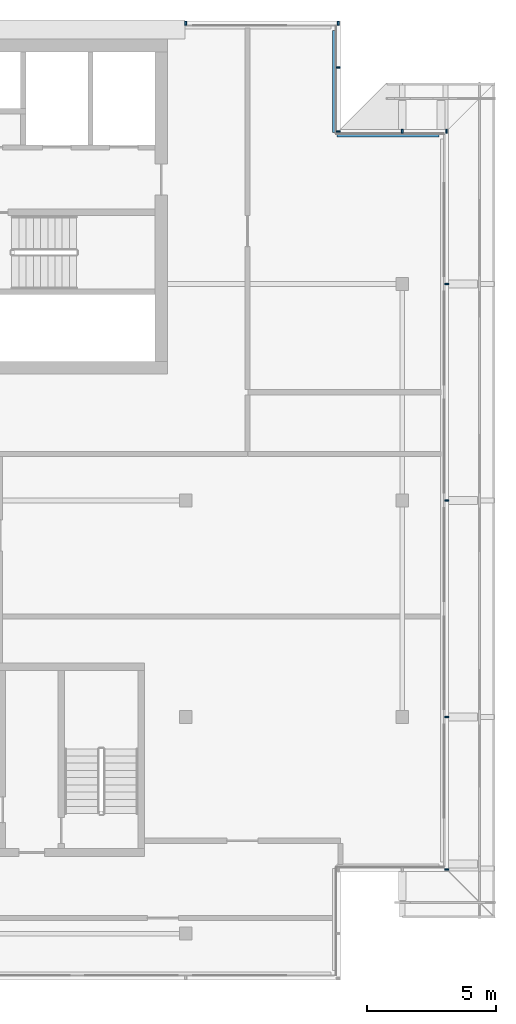
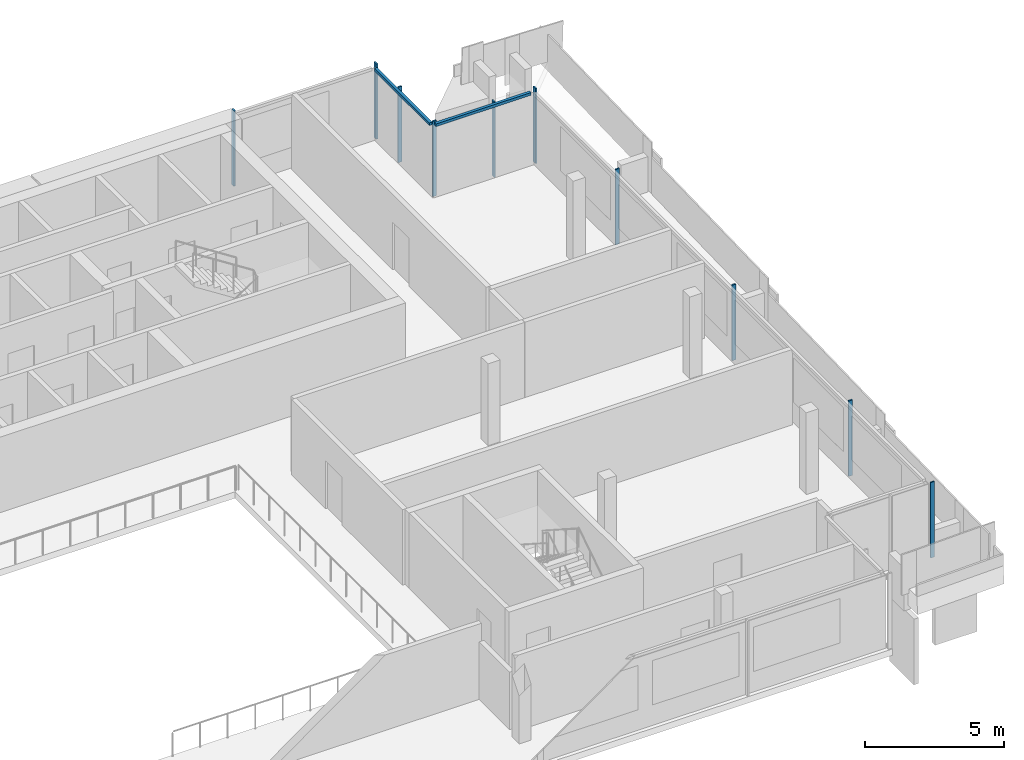
# One storey, part 8 of 20: 12 members, 4 elements without a shape of their own.
"""IFC4 building model written with IfcOpenShell, lengths in metres."""

from ifc_helpers import new_model, si_unit, direction, frame, origin, origin_2d, place, context, subcontext, project, spatial, rectangle, extrude, material, material_profile, profile_set, type_object, element, aggregate, save


model = new_model("IFC4")

# Units and contexts
model_context = context("Model", 3, precision=1e-05, world=origin(), true_north=direction((0.0, 1.0)))
body_context = subcontext(model_context, "Body", "Model", "MODEL_VIEW")
ifc_project = project(units=[si_unit("LENGTHUNIT", "METRE"), si_unit("AREAUNIT", "SQUARE_METRE"), si_unit("VOLUMEUNIT", "CUBIC_METRE"), si_unit("PLANEANGLEUNIT", "RADIAN"), si_unit("MASSUNIT", "GRAM", prefix="KILO")], contexts=[model_context])

# Site, building, storey
site_placement = place(None, origin())
site = spatial("IfcSite", under=ifc_project, at=site_placement, CompositionType="ELEMENT")
building_placement = place(site_placement, origin())
building = spatial("IfcBuilding", under=site, at=building_placement, Name="Saffron Gate Tower", CompositionType="ELEMENT")
storey_placement = place(building_placement, frame((0.0, 0.0, 303.14990234375)))
storey = spatial("IfcBuildingStorey", under=building, at=storey_placement, Name="L74", CompositionType="ELEMENT", Elevation=303.14990234375)

# Curtain wall, members
ifc_material = material(Name="Aluminium, bronze anodised", Category="aluminium")
curtain_wall_type_1 = type_object("IfcCurtainWallType", Name="CWS2 curtain wall side facades", PredefinedType="NOTDEFINED", material=ifc_material)
curtain_wall_1_placement = place(storey_placement, origin())
curtain_wall_1 = element("IfcCurtainWall", 1, at=curtain_wall_1_placement, inside=storey, type_object=curtain_wall_type_1, Name="CWS2 run 4", PredefinedType="NOTDEFINED")
ifc_material_profile_1 = material_profile(ifc_material, rectangle(XDim=0.159912109375, YDim=0.06005859375, at=origin_2d()))
ifc_profile_set_1 = profile_set([ifc_material_profile_1], Name="Aluminium, bronze anodised")
member_type_1 = type_object("IfcMemberType", Name="CWS2 mullion 60x160", PredefinedType="MULLION", material=ifc_profile_set_1)
member_1_placement = place(storey_placement, frame((118.719970703125, 42.679931640625, 0.0), z_axis=(0.0, 0.0, 1.0), x_axis=(-1.0, 0.0, 0.0)))
member_1 = element("IfcMember", 2, at=member_1_placement, type_object=member_type_1, Name="CWS2 mullion 1", PredefinedType="MULLION", context=body_context, shape_type="SweptSolid", body=[
    extrude(rectangle(XDim=0.159912109375, YDim=0.06005859375, at=origin_2d()), origin(), (0.0, 0.0, 1.0), 3.320068359375),
])
member_2_placement = place(storey_placement, frame((118.719970703125, 48.60009765625, 0.0), z_axis=(0.0, 0.0, 1.0), x_axis=(-1.0, 0.0, 0.0)))
member_2 = element("IfcMember", 3, at=member_2_placement, type_object=member_type_1, Name="CWS2 mullion 2", PredefinedType="MULLION", context=body_context, shape_type="SweptSolid", body=[
    extrude(rectangle(XDim=0.159912109375, YDim=0.06005859375, at=origin_2d()), origin(), (0.0, 0.0, 1.0), 3.320068359375),
])
member_3_placement = place(storey_placement, frame((118.719970703125, 57.0, 0.0), z_axis=(0.0, 0.0, 1.0), x_axis=(-1.0, 0.0, 0.0)))
member_3 = element("IfcMember", 4, at=member_3_placement, type_object=member_type_1, Name="CWS2 mullion 3", PredefinedType="MULLION", context=body_context, shape_type="SweptSolid", body=[
    extrude(rectangle(XDim=0.159912109375, YDim=0.06005859375, at=origin_2d()), origin(), (0.0, 0.0, 1.0), 3.320068359375),
])
member_4_placement = place(storey_placement, frame((118.719970703125, 65.39990234375, 0.0), z_axis=(0.0, 0.0, 1.0), x_axis=(-1.0, 0.0, 0.0)))
member_4 = element("IfcMember", 5, at=member_4_placement, type_object=member_type_1, Name="CWS2 mullion 4", PredefinedType="MULLION", context=body_context, shape_type="SweptSolid", body=[
    extrude(rectangle(XDim=0.159912109375, YDim=0.06005859375, at=origin_2d()), origin(), (0.0, 0.0, 1.0), 3.320068359375),
])
aggregate(curtain_wall_1, [member_1, member_2, member_3, member_4])

curtain_wall_type_2 = type_object("IfcCurtainWallType", Name="CWS3 curtain wall rear facade", PredefinedType="NOTDEFINED", material=ifc_material)
curtain_wall_2_placement = place(storey_placement, origin())
curtain_wall_2 = element("IfcCurtainWall", 6, at=curtain_wall_2_placement, inside=storey, type_object=curtain_wall_type_2, Name="CWS3 run 7", PredefinedType="NOTDEFINED")
ifc_material_profile_2 = material_profile(ifc_material, rectangle(XDim=0.159912109375, YDim=0.070068359375, at=origin_2d()))
ifc_profile_set_2 = profile_set([ifc_material_profile_2], Name="Aluminium, bronze anodised")
member_type_2 = type_object("IfcMemberType", Name="CWS3 mullion 70x160", PredefinedType="MULLION", material=ifc_profile_set_2)
member_5_placement = place(storey_placement, frame((114.52001953125, 75.52001953125, 0.0), z_axis=(0.0, 0.0, 1.0), x_axis=(0.0, -1.0, 0.0)))
member_5 = element("IfcMember", 7, at=member_5_placement, type_object=member_type_2, Name="CWS3 mullion 1", PredefinedType="MULLION", context=body_context, shape_type="SweptSolid", body=[
    extrude(rectangle(XDim=0.159912109375, YDim=0.070068359375, at=origin_2d()), origin(), (0.0, 0.0, 1.0), 3.320068359375),
])
member_6_placement = place(storey_placement, frame((108.60009765625, 75.52001953125, 0.0), z_axis=(0.0, 0.0, 1.0), x_axis=(0.0, -1.0, 0.0)))
member_6 = element("IfcMember", 8, at=member_6_placement, type_object=member_type_2, Name="CWS3 mullion 2", PredefinedType="MULLION", context=body_context, shape_type="SweptSolid", body=[
    extrude(rectangle(XDim=0.159912109375, YDim=0.070068359375, at=origin_2d()), origin(), (0.0, 0.0, 1.0), 3.320068359375),
])
aggregate(curtain_wall_2, [member_5, member_6])

# Curtain wall, member
curtain_wall_type_3 = type_object("IfcCurtainWallType", Name="CWS4 curtain wall corner returns", PredefinedType="NOTDEFINED", material=ifc_material)
curtain_wall_3_placement = place(storey_placement, origin())
curtain_wall_3 = element("IfcCurtainWall", 9, at=curtain_wall_3_placement, inside=storey, type_object=curtain_wall_type_3, Name="CWS4 run 5", PredefinedType="NOTDEFINED")
ifc_material_profile_3 = material_profile(ifc_material, rectangle(XDim=0.1201171875, YDim=0.1201171875, at=origin_2d()))
ifc_profile_set_3 = profile_set([ifc_material_profile_3], Name="Aluminium, bronze anodised")
member_type_3 = type_object("IfcMemberType", Name="CWS4 head transom", PredefinedType="USERDEFINED", material=ifc_profile_set_3)
member_7_placement = place(storey_placement, frame((118.431884765625, 71.152099609375, 3.260009765625), z_axis=(-1.0, 0.0, 0.0), x_axis=(0.0, -1.0, 0.0)))
member_7 = element("IfcMember", 10, at=member_7_placement, type_object=member_type_3, Name="CWS4 head transom", ObjectType="TRANSOM", PredefinedType="USERDEFINED", context=body_context, shape_type="SweptSolid", body=[
    extrude(rectangle(XDim=0.1201171875, YDim=0.1201171875, at=origin_2d()), origin(), (0.0, 0.0, 1.0), 3.9599609375),
])

curtain_wall_4_placement = place(storey_placement, origin())
curtain_wall_4 = element("IfcCurtainWall", 11, at=curtain_wall_4_placement, inside=storey, type_object=curtain_wall_type_3, Name="CWS4 run 6", PredefinedType="NOTDEFINED")
member_8_placement = place(storey_placement, frame((114.35205078125, 71.27197265625, 3.260009765625), z_axis=(0.0, 1.0, 0.0), x_axis=(-1.0, 0.0, 0.0)))
member_8 = element("IfcMember", 12, at=member_8_placement, type_object=member_type_3, Name="CWS4 head transom", ObjectType="TRANSOM", PredefinedType="USERDEFINED", context=body_context, shape_type="SweptSolid", body=[
    extrude(rectangle(XDim=0.1201171875, YDim=0.1201171875, at=origin_2d()), origin(), (0.0, 0.0, 1.0), 3.9599609375),
])

# Member
ifc_material_profile_4 = material_profile(ifc_material, rectangle(XDim=0.159912109375, YDim=0.06005859375, at=origin_2d()))
ifc_profile_set_4 = profile_set([ifc_material_profile_4], Name="Aluminium, bronze anodised")
member_type_4 = type_object("IfcMemberType", Name="CWS4 mullion 60x160", PredefinedType="MULLION", material=ifc_profile_set_4)
member_9_placement = place(storey_placement, frame((118.719970703125, 71.320068359375, 0.0), z_axis=(0.0, 0.0, 1.0), x_axis=(0.0, -1.0, 0.0)))
member_9 = element("IfcMember", 13, at=member_9_placement, type_object=member_type_4, Name="CWS4 mullion 1", PredefinedType="MULLION", context=body_context, shape_type="SweptSolid", body=[
    extrude(rectangle(XDim=0.159912109375, YDim=0.06005859375, at=origin_2d()), origin(), (0.0, 0.0, 1.0), 3.320068359375),
])

member_10_placement = place(storey_placement, frame((117.0, 71.320068359375, 0.0), z_axis=(0.0, 0.0, 1.0), x_axis=(0.0, -1.0, 0.0)))
member_10 = element("IfcMember", 14, at=member_10_placement, type_object=member_type_4, Name="CWS4 mullion 2", PredefinedType="MULLION", context=body_context, shape_type="SweptSolid", body=[
    extrude(rectangle(XDim=0.159912109375, YDim=0.06005859375, at=origin_2d()), origin(), (0.0, 0.0, 1.0), 3.320068359375),
])

aggregate(curtain_wall_3, [member_9, member_10, member_7])

member_11_placement = place(storey_placement, frame((114.52001953125, 71.320068359375, 0.0), z_axis=(0.0, 0.0, 1.0), x_axis=(-1.0, 0.0, 0.0)))
member_11 = element("IfcMember", 15, at=member_11_placement, type_object=member_type_4, Name="CWS4 mullion 1", PredefinedType="MULLION", context=body_context, shape_type="SweptSolid", body=[
    extrude(rectangle(XDim=0.159912109375, YDim=0.06005859375, at=origin_2d()), origin(), (0.0, 0.0, 1.0), 3.320068359375),
])

member_12_placement = place(storey_placement, frame((114.52001953125, 73.800048828125, 0.0), z_axis=(0.0, 0.0, 1.0), x_axis=(-1.0, 0.0, 0.0)))
member_12 = element("IfcMember", 16, at=member_12_placement, type_object=member_type_4, Name="CWS4 mullion 2", PredefinedType="MULLION", context=body_context, shape_type="SweptSolid", body=[
    extrude(rectangle(XDim=0.159912109375, YDim=0.06005859375, at=origin_2d()), origin(), (0.0, 0.0, 1.0), 3.320068359375),
])

aggregate(curtain_wall_4, [member_11, member_12, member_8])

save(model, "model.ifc")
